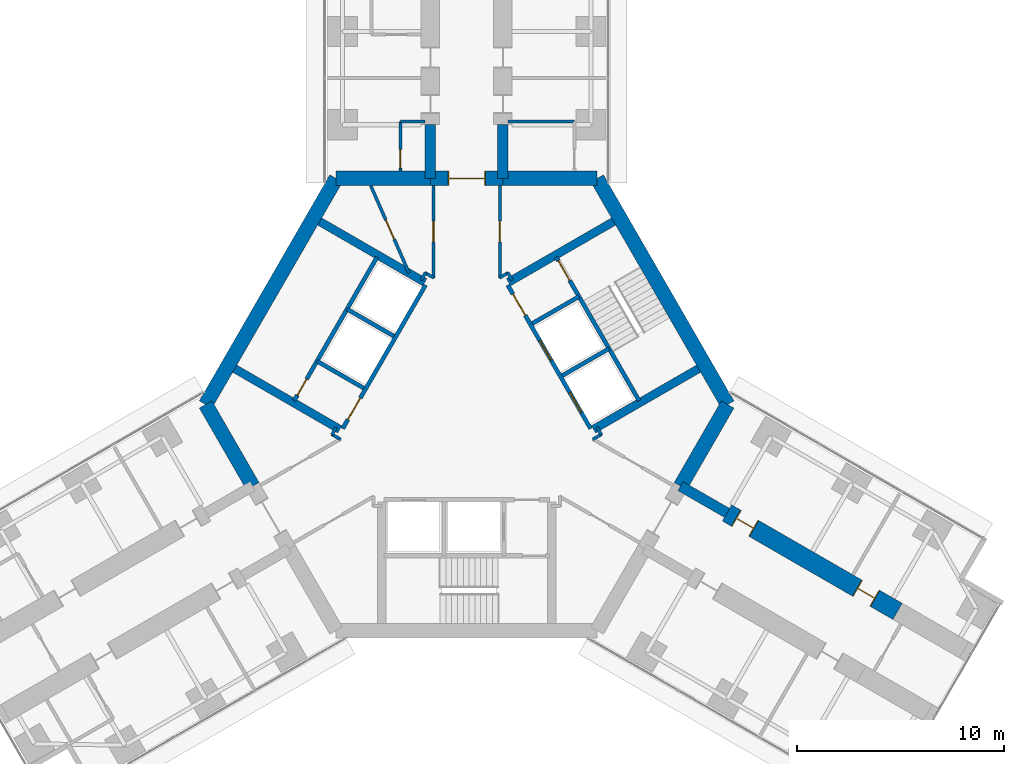
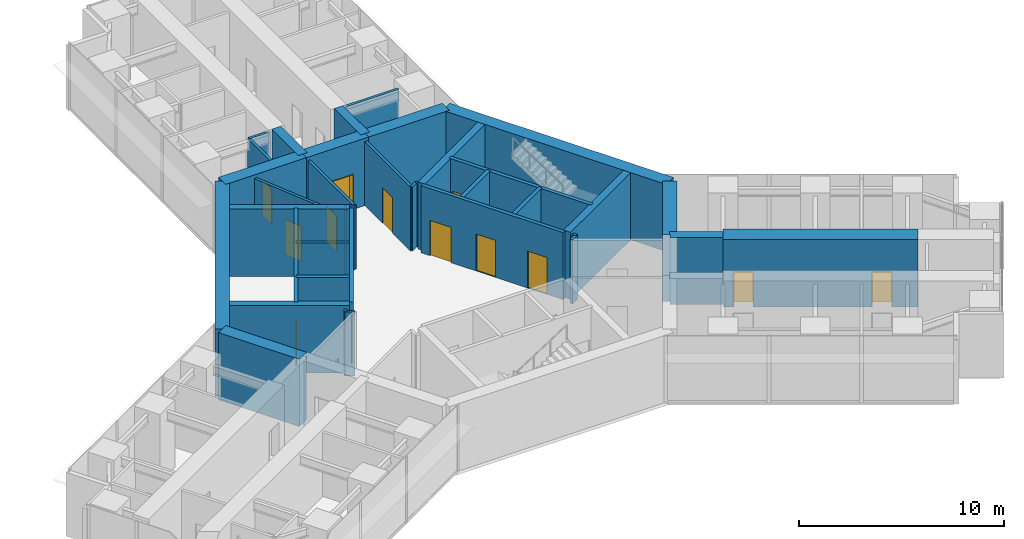
# One storey, part 21 of 24: 37 walls, 13 doors, 13 openings.
"""IFC4 building model written with IfcOpenShell, lengths in metres."""

from ifc_helpers import new_model, si_unit, direction, frame, frame_2d, origin, place, context, subcontext, project, spatial, rectangle, extrude, material, layer, layer_set, type_object, element, fill, save


model = new_model("IFC4")

# Units and contexts
model_context = context("Model", 3, precision=1e-05, world=origin(), true_north=direction((0.0, 1.0)))
body_context = subcontext(model_context, "Body", "Model", "MODEL_VIEW")
ifc_project = project(units=[si_unit("LENGTHUNIT", "METRE"), si_unit("AREAUNIT", "SQUARE_METRE"), si_unit("VOLUMEUNIT", "CUBIC_METRE"), si_unit("PLANEANGLEUNIT", "RADIAN"), si_unit("MASSUNIT", "GRAM", prefix="KILO")], contexts=[model_context])

# Site, building, storey
site_placement = place(None, origin())
site = spatial("IfcSite", under=ifc_project, at=site_placement, CompositionType="ELEMENT")
building_placement = place(site_placement, origin())
building = spatial("IfcBuilding", under=site, at=building_placement, Name="Upepo Twin Towers", CompositionType="ELEMENT")
storey_placement = place(building_placement, frame((0.0, 0.0, 52.5)))
storey = spatial("IfcBuildingStorey", under=building, at=storey_placement, Name="L12", CompositionType="ELEMENT", Elevation=52.5)

# Walls
ifc_material_1 = material(Name="Concrete C60/75", Category="concrete")
ifc_layer_1 = layer(ifc_material_1, 0.5)
ifc_layer_set_1 = layer_set([ifc_layer_1], Name="Concrete C60/75")
wall_type_1 = type_object("IfcWallType", Name="Buttress wall 500 RC", PredefinedType="SHEAR", material=ifc_layer_set_1)
for number, where, z_axis, x_axis, name in (
    (1, (56.75, -7.091552734375, 0.0), (0.0, 0.0, 1.0), (0.0, 1.0, 0.0), "T2 wing A buttress wall L"),
    (2, (60.25, -7.091552734375, 0.0), (0.0, 0.0, 1.0), (0.0, 1.0, 0.0), "T2 wing A buttress wall R"),
):
    element("IfcWall", number, at=place(storey_placement, frame(where, z_axis=z_axis, x_axis=x_axis)), inside=storey, type_object=wall_type_1, Name=name, PredefinedType="SHEAR", context=body_context, shape_type="SweptSolid", body=[
        extrude(rectangle(XDim=2.591552734375, YDim=0.5, at=frame_2d((1.2958984375, 0.0))), origin(), (0.0, 0.0, 1.0), 4.0),
    ])
wall_1_placement = place(storey_placement, frame((68.82177734375, -21.938720703125, 0.0), z_axis=(0.0, 0.0, 1.0), x_axis=(0.866072649678, -0.499918158782, 0.0)))
element("IfcWall", 3, at=wall_1_placement, inside=storey, type_object=wall_type_1, Name="T2 wing C buttress wall L", PredefinedType="SHEAR", context=body_context, shape_type="SweptSolid", body=[
    extrude(rectangle(XDim=2.591796875, YDim=0.5, at=frame_2d((1.2958984375, 0.0))), origin(), (0.0, 0.0, 1.0), 4.0),
])

# Wall, openings, doors
ifc_material_2 = material(Name="Concrete C60/75", Category="concrete")
ifc_layer_2 = layer(ifc_material_2, 0.89990234375)
ifc_layer_set_2 = layer_set([ifc_layer_2], Name="Concrete C60/75")
wall_type_2 = type_object("IfcWallType", Name="Buttress wall 900 RC", PredefinedType="SHEAR", material=ifc_layer_set_2)
wall_2_placement = place(storey_placement, frame((71.06640625, -23.234375, 0.0), z_axis=(0.0, 0.0, 1.0), x_axis=(0.86602681393, -0.499997557548, 0.0)))
wall_2 = element("IfcWall", 4, at=wall_2_placement, inside=storey, type_object=wall_type_2, Name="T2 wing C buttress wall L part 2", PredefinedType="SHEAR", context=body_context, shape_type="SweptSolid", body=[
    extrude(rectangle(XDim=9.5, YDim=0.89990234375, at=frame_2d((4.75, 0.0))), origin(), (0.0, 0.0, 1.0), 4.0),
])
opening_1_placement = place(wall_2_placement, frame((0.5, 0.0, 0.0)))
opening_1 = element("IfcOpeningElement", 5, at=opening_1_placement, cuts=wall_2, Name="Opening D1", PredefinedType="OPENING", context=body_context, shape_type="SweptSolid", body=[
    extrude(rectangle(XDim=1.0, YDim=2.10009765625, at=frame_2d((0.5, 1.050048828125))), frame((0.0, 0.4599609375, 0.0), z_axis=(0.0, -1.0, 0.0), x_axis=(1.0, 0.0, 0.0)), (0.0, 0.0, 1.0), 0.919921875),
])
opening_2_placement = place(wall_2_placement, frame((7.25, 0.0, 0.0)))
opening_2 = element("IfcOpeningElement", 6, at=opening_2_placement, cuts=wall_2, Name="Opening D1", PredefinedType="OPENING", context=body_context, shape_type="SweptSolid", body=[
    extrude(rectangle(XDim=1.0, YDim=2.10009765625, at=frame_2d((0.5, 1.050048828125))), frame((0.0, 0.4599609375, 0.0), z_axis=(0.0, -1.0, 0.0), x_axis=(1.0, 0.0, 0.0)), (0.0, 0.0, 1.0), 0.919921875),
])
ifc_material_3 = material(Name="Timber doorset", Category="wood")
door_type_1 = type_object("IfcDoorType", Name="Room door 1000 FD30", OperationType="SINGLE_SWING_LEFT", PredefinedType="DOOR", material=ifc_material_3)
door_1_placement = place(opening_1_placement, origin())
door_1 = element("IfcDoor", 7, at=door_1_placement, inside=storey, type_object=door_type_1, Name="T2 L12 classroom door", OperationType="SINGLE_SWING_LEFT", OverallHeight=2.10009765625, OverallWidth=1.0, PredefinedType="DOOR", context=body_context, shape_type="SweptSolid", body=[
    extrude(rectangle(XDim=0.92, YDim=2.06009765625, at=frame_2d((0.5, 1.030029296875))), frame((0.0, 0.02490234375, 0.0), z_axis=(0.0, -1.0, 0.0), x_axis=(1.0, 0.0, 0.0)), (0.0, 0.0, 1.0), 0.050048828125),
    extrude(rectangle(XDim=0.04, YDim=2.10009765625, at=frame_2d((0.02001953125, 1.050048828125))), frame((0.0, 0.44970703125, 0.0), z_axis=(0.0, -1.0, 0.0), x_axis=(1.0, 0.0, 0.0)), (0.0, 0.0, 1.0), 0.8994140625),
    extrude(rectangle(XDim=0.04, YDim=2.10009765625, at=frame_2d((0.97998046875, 1.050048828125))), frame((0.0, 0.44970703125, 0.0), z_axis=(0.0, -1.0, 0.0), x_axis=(1.0, 0.0, 0.0)), (0.0, 0.0, 1.0), 0.8994140625),
    extrude(rectangle(XDim=0.92, YDim=0.04, at=frame_2d((0.5, 2.080078125))), frame((0.0, 0.44970703125, 0.0), z_axis=(0.0, -1.0, 0.0), x_axis=(1.0, 0.0, 0.0)), (0.0, 0.0, 1.0), 0.8994140625),
])
fill(opening_1, door_1)
door_2_placement = place(opening_2_placement, origin())
door_2 = element("IfcDoor", 8, at=door_2_placement, inside=storey, type_object=door_type_1, Name="T2 L12 seminar room door", OperationType="SINGLE_SWING_RIGHT", OverallHeight=2.10009765625, OverallWidth=1.0, PredefinedType="DOOR", context=body_context, shape_type="SweptSolid", body=[
    extrude(rectangle(XDim=0.92, YDim=2.06009765625, at=frame_2d((0.5, 1.030029296875))), frame((0.0, 0.02490234375, 0.0), z_axis=(0.0, -1.0, 0.0), x_axis=(1.0, 0.0, 0.0)), (0.0, 0.0, 1.0), 0.050048828125),
    extrude(rectangle(XDim=0.04, YDim=2.10009765625, at=frame_2d((0.02001953125, 1.050048828125))), frame((0.0, 0.44970703125, 0.0), z_axis=(0.0, -1.0, 0.0), x_axis=(1.0, 0.0, 0.0)), (0.0, 0.0, 1.0), 0.8994140625),
    extrude(rectangle(XDim=0.04, YDim=2.10009765625, at=frame_2d((0.97998046875, 1.050048828125))), frame((0.0, 0.44970703125, 0.0), z_axis=(0.0, -1.0, 0.0), x_axis=(1.0, 0.0, 0.0)), (0.0, 0.0, 1.0), 0.8994140625),
    extrude(rectangle(XDim=0.92, YDim=0.04, at=frame_2d((0.5, 2.080078125))), frame((0.0, 0.44970703125, 0.0), z_axis=(0.0, -1.0, 0.0), x_axis=(1.0, 0.0, 0.0)), (0.0, 0.0, 1.0), 0.8994140625),
])
fill(opening_2, door_2)

# Wall
ifc_material_4 = material(Name="Concrete C60/75", Category="concrete")
ifc_layer_3 = layer(ifc_material_4, 0.699951171875)
ifc_layer_set_3 = layer_set([ifc_layer_3], Name="Concrete C60/75")
wall_type_3 = type_object("IfcWallType", Name="Core wall 700 RC", PredefinedType="SHEAR", material=ifc_layer_set_3)
wall_3_placement = place(storey_placement, frame((64.7978515625, -7.091552734375, 0.0), z_axis=(0.0, 0.0, 1.0), x_axis=(-1.0, 0.0, 0.0)))
element("IfcWall", 9, at=wall_3_placement, inside=storey, type_object=wall_type_3, Name="T2 core wall 000 R", PredefinedType="SHEAR", context=body_context, shape_type="SweptSolid", body=[
    extrude(rectangle(XDim=4.5478515625, YDim=0.699951171875, at=frame_2d((2.27392578125, 0.0))), origin(), (0.0, 0.0, 1.0), 4.0),
])

# Wall, opening, door
wall_4_placement = place(storey_placement, frame((60.25, -7.091552734375, 0.0), z_axis=(0.0, 0.0, 1.0), x_axis=(-1.0, 0.0, 0.0)))
wall_4 = element("IfcWall", 10, at=wall_4_placement, inside=storey, type_object=wall_type_3, Name="T2 core wall 000", PredefinedType="SHEAR", context=body_context, shape_type="SweptSolid", body=[
    extrude(rectangle(XDim=3.5, YDim=0.699951171875, at=frame_2d((1.75, 0.0))), origin(), (0.0, 0.0, 1.0), 4.0),
])
opening_3_placement = place(wall_4_placement, frame((0.85009765625, 0.0, 0.0)))
opening_3 = element("IfcOpeningElement", 11, at=opening_3_placement, cuts=wall_4, Name="Opening D2", PredefinedType="OPENING", context=body_context, shape_type="SweptSolid", body=[
    extrude(rectangle(XDim=1.800048828125, YDim=2.10009765625, at=frame_2d((0.89990234375, 1.050048828125))), frame((0.0, 0.35986328125, 0.0), z_axis=(0.0, -1.0, 0.0), x_axis=(1.0, 0.0, 0.0)), (0.0, 0.0, 1.0), 0.719970703125),
])
ifc_material_5 = material(Name="Timber doorset", Category="wood")
door_type_2 = type_object("IfcDoorType", Name="Corridor double door 1800 FD60", OperationType="DOUBLE_DOOR_DOUBLE_SWING", PredefinedType="DOOR", material=ifc_material_5)
door_3_placement = place(opening_3_placement, origin())
door_3 = element("IfcDoor", 12, at=door_3_placement, inside=storey, type_object=door_type_2, Name="T2 L12 wing A corridor door", OperationType="DOUBLE_DOOR_DOUBLE_SWING", OverallHeight=2.10009765625, OverallWidth=1.800048828125, PredefinedType="DOOR", context=body_context, shape_type="SweptSolid", body=[
    extrude(rectangle(XDim=1.720048828125, YDim=2.06009765625, at=frame_2d((0.89990234375, 1.030029296875))), frame((0.0, 0.02490234375, 0.0), z_axis=(0.0, -1.0, 0.0), x_axis=(1.0, 0.0, 0.0)), (0.0, 0.0, 1.0), 0.050048828125),
    extrude(rectangle(XDim=0.04, YDim=2.10009765625, at=frame_2d((0.02001953125, 1.050048828125))), frame((0.0, 0.349609375, 0.0), z_axis=(0.0, -1.0, 0.0), x_axis=(1.0, 0.0, 0.0)), (0.0, 0.0, 1.0), 0.699462890625),
    extrude(rectangle(XDim=0.04, YDim=2.10009765625, at=frame_2d((1.780029296875, 1.050048828125))), frame((0.0, 0.349609375, 0.0), z_axis=(0.0, -1.0, 0.0), x_axis=(1.0, 0.0, 0.0)), (0.0, 0.0, 1.0), 0.699462890625),
    extrude(rectangle(XDim=1.720048828125, YDim=0.04, at=frame_2d((0.89990234375, 2.080078125))), frame((0.0, 0.349609375, 0.0), z_axis=(0.0, -1.0, 0.0), x_axis=(1.0, 0.0, 0.0)), (0.0, 0.0, 1.0), 0.699462890625),
])
fill(opening_3, door_3)

# Walls
wall_5_placement = place(storey_placement, frame((56.75, -7.091552734375, 0.0), z_axis=(0.0, 0.0, 1.0), x_axis=(-1.0, 0.0, 0.0)))
element("IfcWall", 13, at=wall_5_placement, inside=storey, type_object=wall_type_3, Name="T2 core wall 000 L", PredefinedType="SHEAR", context=body_context, shape_type="SweptSolid", body=[
    extrude(rectangle(XDim=4.5478515625, YDim=0.699951171875, at=frame_2d((2.27392578125, 0.0))), origin(), (0.0, 0.0, 1.0), 4.0),
])
wall_6_placement = place(storey_placement, frame((52.2021484375, -7.091552734375, 0.0), z_axis=(0.0, 0.0, 1.0), x_axis=(-0.500005998175, -0.866021940709, 0.0)))
element("IfcWall", 14, at=wall_6_placement, inside=storey, type_object=wall_type_3, Name="T2 core wall 060", PredefinedType="SHEAR", context=body_context, shape_type="SweptSolid", body=[
    extrude(rectangle(XDim=12.595947265625, YDim=0.699951171875, at=frame_2d((6.2978515625, 0.0))), origin(), (0.0, 0.0, 1.0), 4.0),
])
for number, where, z_axis, x_axis, name in (
    (15, (45.904052734375, -18.0, 0.0), (0.0, 0.0, 1.0), (0.500024481964, -0.866011268655, 0.0), "T2 core wall 120 R"),
    (16, (68.82177734375, -21.938720703125, 0.0), (0.0, 0.0, 1.0), (0.500024481964, 0.866011268655, 0.0), "T2 core wall 240 L"),
):
    element("IfcWall", number, at=place(storey_placement, frame(where, z_axis=z_axis, x_axis=x_axis)), inside=storey, type_object=wall_type_3, Name=name, PredefinedType="SHEAR", context=body_context, shape_type="SweptSolid", body=[
        extrude(rectangle(XDim=4.548095703125, YDim=0.699951171875, at=frame_2d((2.27392578125, 0.0))), origin(), (0.0, 0.0, 1.0), 4.0),
    ])
wall_7_placement = place(storey_placement, frame((71.095947265625, -18.0, 0.0), z_axis=(0.0, 0.0, 1.0), x_axis=(-0.500005998175, 0.866021940709, 0.0)))
element("IfcWall", 17, at=wall_7_placement, inside=storey, type_object=wall_type_3, Name="T2 core wall 300", PredefinedType="SHEAR", context=body_context, shape_type="SweptSolid", body=[
    extrude(rectangle(XDim=12.595947265625, YDim=0.699951171875, at=frame_2d((6.2978515625, 0.0))), origin(), (0.0, 0.0, 1.0), 4.0),
])

# Wall, opening, door
ifc_material_6 = material(Name="Concrete C40/50", Category="concrete")
ifc_layer_4 = layer(ifc_material_6, 0.199951171875)
ifc_layer_set_4 = layer_set([ifc_layer_4], Name="Concrete C40/50")
wall_type_4 = type_object("IfcWallType", Name="Shaft wall 200 RC", PredefinedType="SHEAR", material=ifc_layer_set_4)
wall_8_placement = place(storey_placement, frame((56.516357421875, -12.23583984375, 0.0), z_axis=(0.0, 0.0, 1.0), x_axis=(-0.49999894854, -0.866026010844, 0.0)))
wall_8 = element("IfcWall", 18, at=wall_8_placement, inside=storey, type_object=wall_type_4, Name="T2 core W60 front wall", PredefinedType="SHEAR", context=body_context, shape_type="SweptSolid", body=[
    extrude(rectangle(XDim=8.0, YDim=0.199951171875, at=frame_2d((4.0, 0.0))), origin(), (0.0, 0.0, 1.0), 4.0),
])
opening_4_placement = place(wall_8_placement, frame((6.300048828125, 0.0, 0.0)))
opening_4 = element("IfcOpeningElement", 19, at=opening_4_placement, cuts=wall_8, Name="Opening D4", PredefinedType="OPENING", context=body_context, shape_type="SweptSolid", body=[
    extrude(rectangle(XDim=1.199951171875, YDim=2.10009765625, at=frame_2d((0.60009765625, 1.050048828125))), frame((0.0, 0.10986328125, 0.0), z_axis=(0.0, -1.0, 0.0), x_axis=(1.0, 0.0, 0.0)), (0.0, 0.0, 1.0), 0.219970703125),
])
ifc_material_7 = material(Name="Timber doorset", Category="wood")
door_type_3 = type_object("IfcDoorType", Name="Lobby door 1200 FD60", OperationType="SINGLE_SWING_LEFT", PredefinedType="DOOR", material=ifc_material_7)
door_4_placement = place(opening_4_placement, origin())
door_4 = element("IfcDoor", 20, at=door_4_placement, inside=storey, type_object=door_type_3, Name="T2 L12 W60 lobby door", OperationType="SINGLE_SWING_RIGHT", OverallHeight=2.10009765625, OverallWidth=1.199951171875, PredefinedType="DOOR", context=body_context, shape_type="SweptSolid", body=[
    extrude(rectangle(XDim=1.199951171875, YDim=2.10009765625, at=frame_2d((0.60009765625, 1.050048828125))), frame((0.0, 0.02490234375, 0.0), z_axis=(0.0, -1.0, 0.0), x_axis=(1.0, 0.0, 0.0)), (0.0, 0.0, 1.0), 0.050048828125),
])
fill(opening_4, door_4)

# Walls
for number, where, z_axis, x_axis, name in (
    (21, (54.979736328125, -14.697265625, 0.0), (0.0, 0.0, 1.0), (-0.866062058628, 0.499936506574, 0.0), "T2 core W60 shaft divider"),
    (22, (53.52978515625, -17.208740234375, 0.0), (0.0, 0.0, 1.0), (-0.866062058628, 0.499936506574, 0.0), "T2 core W60 lobby wall"),
):
    element("IfcWall", number, at=place(storey_placement, frame(where, z_axis=z_axis, x_axis=x_axis)), inside=storey, type_object=wall_type_4, Name=name, PredefinedType="SHEAR", context=body_context, shape_type="SweptSolid", body=[
        extrude(rectangle(XDim=2.599853515625, YDim=0.199951171875, at=frame_2d((1.2998046875, 0.0))), origin(), (0.0, 0.0, 1.0), 4.0),
    ])

# Wall, opening, door
wall_9_placement = place(storey_placement, frame((54.177978515625, -10.885986328125, 0.0), z_axis=(0.0, 0.0, 1.0), x_axis=(-0.49999894854, -0.866026010844, 0.0)))
wall_9 = element("IfcWall", 23, at=wall_9_placement, inside=storey, type_object=wall_type_4, Name="T2 core W60 stair wall", PredefinedType="SHEAR", context=body_context, shape_type="SweptSolid", body=[
    extrude(rectangle(XDim=8.0, YDim=0.199951171875, at=frame_2d((4.0, 0.0))), origin(), (0.0, 0.0, 1.0), 4.0),
])
opening_5_placement = place(wall_9_placement, frame((6.800048828125, 0.0, 0.0)))
opening_5 = element("IfcOpeningElement", 24, at=opening_5_placement, cuts=wall_9, Name="Opening D9", PredefinedType="OPENING", context=body_context, shape_type="SweptSolid", body=[
    extrude(rectangle(XDim=0.89990234375, YDim=2.10009765625, at=frame_2d((0.449951171875, 1.050048828125))), frame((0.0, 0.10986328125, 0.0), z_axis=(0.0, -1.0, 0.0), x_axis=(1.0, 0.0, 0.0)), (0.0, 0.0, 1.0), 0.219970703125),
])
ifc_material_8 = material(Name="Timber doorset", Category="wood")
door_type_4 = type_object("IfcDoorType", Name="Riser door 900 FD60", OperationType="SINGLE_SWING_LEFT", PredefinedType="DOOR", material=ifc_material_8)
door_5_placement = place(opening_5_placement, origin())
door_5 = element("IfcDoor", 25, at=door_5_placement, inside=storey, type_object=door_type_4, Name="T2 L12 riser door", OperationType="SINGLE_SWING_RIGHT", OverallHeight=2.10009765625, OverallWidth=0.89990234375, PredefinedType="DOOR", context=body_context, shape_type="SweptSolid", body=[
    extrude(rectangle(XDim=0.89990234375, YDim=2.10009765625, at=frame_2d((0.449951171875, 1.050048828125))), frame((0.0, 0.02490234375, 0.0), z_axis=(0.0, -1.0, 0.0), x_axis=(1.0, 0.0, 0.0)), (0.0, 0.0, 1.0), 0.050048828125),
])
fill(opening_5, door_5)

# Wall, openings, doors
wall_10_placement = place(storey_placement, frame((64.483642578125, -19.1640625, 0.0), z_axis=(0.0, 0.0, 1.0), x_axis=(-0.49999894854, 0.866026010844, 0.0)))
wall_10 = element("IfcWall", 26, at=wall_10_placement, inside=storey, type_object=wall_type_4, Name="T2 core W300 front wall", PredefinedType="SHEAR", context=body_context, shape_type="SweptSolid", body=[
    extrude(rectangle(XDim=8.0, YDim=0.199951171875, at=frame_2d((4.0, 0.0))), origin(), (0.0, 0.0, 1.0), 4.0),
])
opening_6_placement = place(wall_10_placement, frame((6.300048828125, 0.0, 0.0)))
opening_6 = element("IfcOpeningElement", 27, at=opening_6_placement, cuts=wall_10, Name="Opening D4", PredefinedType="OPENING", context=body_context, shape_type="SweptSolid", body=[
    extrude(rectangle(XDim=1.199951171875, YDim=2.10009765625, at=frame_2d((0.60009765625, 1.050048828125))), frame((0.0, 0.10986328125, 0.0), z_axis=(0.0, -1.0, 0.0), x_axis=(1.0, 0.0, 0.0)), (0.0, 0.0, 1.0), 0.219970703125),
])
opening_7_placement = place(wall_10_placement, frame((0.89990234375, 0.0, 0.0)))
opening_7 = element("IfcOpeningElement", 28, at=opening_7_placement, cuts=wall_10, Name="Opening LD1", PredefinedType="OPENING", context=body_context, shape_type="SweptSolid", body=[
    extrude(rectangle(XDim=1.10009765625, YDim=2.199951171875, at=frame_2d((0.550048828125, 1.10009765625))), frame((0.0, 0.10986328125, 0.0), z_axis=(0.0, -1.0, 0.0), x_axis=(1.0, 0.0, 0.0)), (0.0, 0.0, 1.0), 0.219970703125),
])
opening_8_placement = place(wall_10_placement, frame((3.800048828125, 0.0, 0.0)))
opening_8 = element("IfcOpeningElement", 29, at=opening_8_placement, cuts=wall_10, Name="Opening LD1", PredefinedType="OPENING", context=body_context, shape_type="SweptSolid", body=[
    extrude(rectangle(XDim=1.10009765625, YDim=2.199951171875, at=frame_2d((0.550048828125, 1.10009765625))), frame((0.0, 0.10986328125, 0.0), z_axis=(0.0, -1.0, 0.0), x_axis=(1.0, 0.0, 0.0)), (0.0, 0.0, 1.0), 0.219970703125),
])
ifc_material_9 = material(Name="Steel doorset", Category="steel")
door_type_5 = type_object("IfcDoorType", Name="Lift landing door 1100", OperationType="DOUBLE_DOOR_SLIDING", PredefinedType="DOOR", material=ifc_material_9)
door_6_placement = place(opening_7_placement, origin())
door_6 = element("IfcDoor", 30, at=door_6_placement, inside=storey, type_object=door_type_5, Name="T2 L12 lift LL1 landing door", OperationType="DOUBLE_DOOR_SLIDING", OverallHeight=2.199951171875, OverallWidth=1.10009765625, PredefinedType="DOOR", context=body_context, shape_type="SweptSolid", body=[
    extrude(rectangle(XDim=1.10009765625, YDim=2.199951171875, at=frame_2d((0.550048828125, 1.10009765625))), frame((0.0, 0.02490234375, 0.0), z_axis=(0.0, -1.0, 0.0), x_axis=(1.0, 0.0, 0.0)), (0.0, 0.0, 1.0), 0.050048828125),
])
fill(opening_7, door_6)
door_7_placement = place(opening_8_placement, origin())
door_7 = element("IfcDoor", 31, at=door_7_placement, inside=storey, type_object=door_type_5, Name="T2 L12 lift LL2 landing door", OperationType="DOUBLE_DOOR_SLIDING", OverallHeight=2.199951171875, OverallWidth=1.10009765625, PredefinedType="DOOR", context=body_context, shape_type="SweptSolid", body=[
    extrude(rectangle(XDim=1.10009765625, YDim=2.199951171875, at=frame_2d((0.550048828125, 1.10009765625))), frame((0.0, 0.02490234375, 0.0), z_axis=(0.0, -1.0, 0.0), x_axis=(1.0, 0.0, 0.0)), (0.0, 0.0, 1.0), 0.050048828125),
])
fill(opening_8, door_7)
door_8_placement = place(opening_6_placement, origin())
door_8 = element("IfcDoor", 32, at=door_8_placement, inside=storey, type_object=door_type_3, Name="T2 L12 W300 lobby door", OperationType="SINGLE_SWING_RIGHT", OverallHeight=2.10009765625, OverallWidth=1.199951171875, PredefinedType="DOOR", context=body_context, shape_type="SweptSolid", body=[
    extrude(rectangle(XDim=1.199951171875, YDim=2.10009765625, at=frame_2d((0.60009765625, 1.050048828125))), frame((0.0, 0.02490234375, 0.0), z_axis=(0.0, -1.0, 0.0), x_axis=(1.0, 0.0, 0.0)), (0.0, 0.0, 1.0), 0.050048828125),
])
fill(opening_6, door_8)

# Walls
wall_11_placement = place(storey_placement, frame((63.120361328125, -16.6025390625, 0.0), z_axis=(0.0, 0.0, 1.0), x_axis=(0.866062058628, 0.499936506574, 0.0)))
element("IfcWall", 33, at=wall_11_placement, inside=storey, type_object=wall_type_4, Name="T2 core W300 shaft divider", PredefinedType="SHEAR", context=body_context, shape_type="SweptSolid", body=[
    extrude(rectangle(XDim=2.599853515625, YDim=0.199951171875, at=frame_2d((1.2998046875, 0.0))), origin(), (0.0, 0.0, 1.0), 4.0),
])
wall_12_placement = place(storey_placement, frame((61.67041015625, -14.091064453125, 0.0), z_axis=(0.0, 0.0, 1.0), x_axis=(0.86603858612, 0.49997716683, 0.0)))
element("IfcWall", 34, at=wall_12_placement, inside=storey, type_object=wall_type_4, Name="T2 core W300 lobby wall", PredefinedType="SHEAR", context=body_context, shape_type="SweptSolid", body=[
    extrude(rectangle(XDim=2.599609375, YDim=0.199951171875, at=frame_2d((1.2998046875, 0.0))), origin(), (0.0, 0.0, 1.0), 4.0),
])

# Wall, opening, door
wall_13_placement = place(storey_placement, frame((66.822021484375, -17.814208984375, 0.0), z_axis=(0.0, 0.0, 1.0), x_axis=(-0.49999894854, 0.866026010844, 0.0)))
wall_13 = element("IfcWall", 35, at=wall_13_placement, inside=storey, type_object=wall_type_4, Name="T2 core W300 stair wall", PredefinedType="SHEAR", context=body_context, shape_type="SweptSolid", body=[
    extrude(rectangle(XDim=8.0, YDim=0.199951171875, at=frame_2d((4.0, 0.0))), origin(), (0.0, 0.0, 1.0), 4.0),
])
opening_9_placement = place(wall_13_placement, frame((6.699951171875, 0.0, 0.0)))
opening_9 = element("IfcOpeningElement", 36, at=opening_9_placement, cuts=wall_13, Name="Opening D3", PredefinedType="OPENING", context=body_context, shape_type="SweptSolid", body=[
    extrude(rectangle(XDim=1.10009765625, YDim=2.10009765625, at=frame_2d((0.550048828125, 1.050048828125))), frame((0.0, 0.10986328125, 0.0), z_axis=(0.0, -1.0, 0.0), x_axis=(1.0, 0.0, 0.0)), (0.0, 0.0, 1.0), 0.219970703125),
])
ifc_material_10 = material(Name="Timber doorset", Category="wood")
door_type_6 = type_object("IfcDoorType", Name="Stair door 1100 FD60", OperationType="SINGLE_SWING_LEFT", PredefinedType="DOOR", material=ifc_material_10)
door_9_placement = place(opening_9_placement, origin())
door_9 = element("IfcDoor", 37, at=door_9_placement, inside=storey, type_object=door_type_6, Name="T2 L12 stair door", OperationType="SINGLE_SWING_RIGHT", OverallHeight=2.10009765625, OverallWidth=1.10009765625, PredefinedType="DOOR", context=body_context, shape_type="SweptSolid", body=[
    extrude(rectangle(XDim=1.10009765625, YDim=2.10009765625, at=frame_2d((0.550048828125, 1.050048828125))), frame((0.0, 0.02490234375, 0.0), z_axis=(0.0, -1.0, 0.0), x_axis=(1.0, 0.0, 0.0)), (0.0, 0.0, 1.0), 0.050048828125),
])
fill(opening_9, door_9)

# Walls
ifc_material_11 = material(Name="Concrete C40/50", Category="concrete")
ifc_layer_5 = layer(ifc_material_11, 0.39990234375)
ifc_layer_set_5 = layer_set([ifc_layer_5], Name="Concrete C40/50")
wall_type_5 = type_object("IfcWallType", Name="Shaft wall 400 RC", PredefinedType="SHEAR", material=ifc_layer_set_5)
for number, where, z_axis, x_axis, name in (
    (38, (52.379638671875, -19.20068359375, 0.0), (0.0, 0.0, 1.0), (-0.866023886965, 0.500002627198, 0.0), "T2 core W60 side wall N"),
    (39, (56.479736328125, -12.099365234375, 0.0), (0.0, 0.0, 1.0), (-0.866023886965, 0.500002627198, 0.0), "T2 core W60 side wall S"),
    (40, (60.520263671875, -12.099365234375, 0.0), (0.0, 0.0, 1.0), (0.866023886965, 0.500002627198, 0.0), "T2 core W300 side wall N"),
    (41, (64.620361328125, -19.20068359375, 0.0), (0.0, 0.0, 1.0), (0.866023886965, 0.500002627198, 0.0), "T2 core W300 side wall S"),
):
    element("IfcWall", number, at=place(storey_placement, frame(where, z_axis=z_axis, x_axis=x_axis)), inside=storey, type_object=wall_type_5, Name=name, PredefinedType="SHEAR", context=body_context, shape_type="SweptSolid", body=[
        extrude(rectangle(XDim=5.8583984375, YDim=0.39990234375, at=frame_2d((2.92919921875, 0.0))), origin(), (0.0, 0.0, 1.0), 4.0),
    ])

# Wall, opening, door
ifc_material_12 = material(Name="Gypsum board on steel studs", Category="steel")
ifc_layer_6 = layer(ifc_material_12, 0.14990234375)
ifc_layer_set_6 = layer_set([ifc_layer_6], Name="Teaching partition 150 acoustic")
wall_type_6 = type_object("IfcWallType", Name="Teaching partition 150 acoustic", PredefinedType="PARTITIONING", material=ifc_layer_set_6)
wall_14_placement = place(storey_placement, frame((55.300048828125, -6.741943359375, 0.0), z_axis=(0.0, 0.0, 1.0), x_axis=(0.0, 1.0, 0.0)))
wall_14 = element("IfcWall", 42, at=wall_14_placement, inside=storey, type_object=wall_type_6, Name="T2 WC bay partition AL at 11.26", PredefinedType="PARTITIONING", context=body_context, shape_type="SweptSolid", body=[
    extrude(rectangle(XDim=2.39990234375, YDim=0.14990234375, at=frame_2d((1.199951171875, 0.0))), origin(), (0.0, 0.0, 1.0), 3.800048828125),
])
opening_10_placement = place(wall_14_placement, frame((0.14990234375, 0.0, 0.0)))
opening_10 = element("IfcOpeningElement", 43, at=opening_10_placement, cuts=wall_14, Name="Opening D14", PredefinedType="OPENING", context=body_context, shape_type="SweptSolid", body=[
    extrude(rectangle(XDim=0.89990234375, YDim=2.10009765625, at=frame_2d((0.449951171875, 1.050048828125))), frame((0.0, 0.0849609375, 0.0), z_axis=(0.0, -1.0, 0.0), x_axis=(1.0, 0.0, 0.0)), (0.0, 0.0, 1.0), 0.169921875),
])
ifc_material_13 = material(Name="Timber doorset", Category="wood")
door_type_7 = type_object("IfcDoorType", Name="Office door 900 FD30", OperationType="SINGLE_SWING_LEFT", PredefinedType="DOOR", material=ifc_material_13)
door_10_placement = place(opening_10_placement, origin())
door_10 = element("IfcDoor", 44, at=door_10_placement, inside=storey, type_object=door_type_7, Name="T2 L12 WC bay inner room door", OperationType="SINGLE_SWING_LEFT", OverallHeight=2.10009765625, OverallWidth=0.89990234375, PredefinedType="DOOR", context=body_context, shape_type="SweptSolid", body=[
    extrude(rectangle(XDim=0.89990234375, YDim=2.10009765625, at=frame_2d((0.449951171875, 1.050048828125))), frame((0.0, 0.02490234375, 0.0), z_axis=(0.0, -1.0, 0.0), x_axis=(1.0, 0.0, 0.0)), (0.0, 0.0, 1.0), 0.050048828125),
])
fill(opening_10, door_10)

# Walls
wall_15_placement = place(storey_placement, frame((56.5, -4.342041015625, 0.0), z_axis=(0.0, 0.0, 1.0), x_axis=(-1.0, 0.0, 0.0)))
element("IfcWall", 45, at=wall_15_placement, inside=storey, type_object=wall_type_6, Name="T2 WC bay partition AL end at 13.66", PredefinedType="PARTITIONING", context=body_context, shape_type="SweptSolid", body=[
    extrude(rectangle(XDim=1.199951171875, YDim=0.14990234375, at=frame_2d((0.60009765625, 0.0))), origin(), (0.0, 0.0, 1.0), 3.800048828125),
])
wall_16_placement = place(storey_placement, frame((60.5, -4.342041015625, 0.0), z_axis=(0.0, 0.0, 1.0), x_axis=(1.0, 0.0, 0.0)))
element("IfcWall", 46, at=wall_16_placement, inside=storey, type_object=wall_type_6, Name="T2 WC bay partition AR end at 13.66", PredefinedType="PARTITIONING", context=body_context, shape_type="SweptSolid", body=[
    extrude(rectangle(XDim=3.199951171875, YDim=0.14990234375, at=frame_2d((1.60009765625, 0.0))), origin(), (0.0, 0.0, 1.0), 3.800048828125),
])
wall_17_placement = place(storey_placement, frame((52.417236328125, -19.684326171875, 0.0), z_axis=(0.0, 0.0, 1.0), x_axis=(-0.865831790172, 0.50033519877, 0.0)))
element("IfcWall", 47, at=wall_17_placement, inside=storey, type_object=wall_type_6, Name="T2 core room partition 4", PredefinedType="PARTITIONING", context=body_context, shape_type="SweptSolid", body=[
    extrude(rectangle(XDim=0.494384765625, YDim=0.14990234375, at=frame_2d((0.2470703125, 0.0))), origin(), (0.0, 0.0, 1.0), 3.800048828125),
])
for number, where, z_axis, x_axis, name in (
    (48, (51.99658203125, -19.46435546875, 0.0), (0.0, 0.0, 1.0), (0.499804398801, 0.866138304741, 0.0), "T2 core room partition 5"),
    (49, (56.301513671875, -12.0078125, 0.0), (0.0, 0.0, 1.0), (0.500230298122, 0.865892400268, 0.0), "T2 core room partition 6"),
):
    element("IfcWall", number, at=place(storey_placement, frame(where, z_axis=z_axis, x_axis=x_axis)), inside=storey, type_object=wall_type_6, Name=name, PredefinedType="PARTITIONING", context=body_context, shape_type="SweptSolid", body=[
        extrude(rectangle(XDim=0.429931640625, YDim=0.14990234375, at=frame_2d((0.21484375, 0.0))), origin(), (0.0, 0.0, 1.0), 3.800048828125),
    ])
wall_18_placement = place(storey_placement, frame((56.4892578125, -11.642822265625, 0.0), z_axis=(0.0, 0.0, 1.0), x_axis=(0.865831790172, -0.50033519877, 0.0)))
element("IfcWall", 50, at=wall_18_placement, inside=storey, type_object=wall_type_6, Name="T2 core room partition 7", PredefinedType="PARTITIONING", context=body_context, shape_type="SweptSolid", body=[
    extrude(rectangle(XDim=0.494384765625, YDim=0.14990234375, at=frame_2d((0.2470703125, 0.0))), origin(), (0.0, 0.0, 1.0), 3.800048828125),
])

# Wall, opening, door
wall_19_placement = place(storey_placement, frame((56.89990234375, -11.900146484375, 0.0), z_axis=(0.0, 0.0, 1.0), x_axis=(0.0, 1.0, 0.0)))
wall_19 = element("IfcWall", 51, at=wall_19_placement, inside=storey, type_object=wall_type_6, Name="T2 core room partition 8", PredefinedType="PARTITIONING", context=body_context, shape_type="SweptSolid", body=[
    extrude(rectangle(XDim=4.468505859375, YDim=0.14990234375, at=frame_2d((2.234375, 0.0))), origin(), (0.0, 0.0, 1.0), 3.800048828125),
])
opening_11_placement = place(wall_19_placement, frame((1.744384765625, 0.0, 0.0)))
opening_11 = element("IfcOpeningElement", 52, at=opening_11_placement, cuts=wall_19, Name="Opening D1", PredefinedType="OPENING", context=body_context, shape_type="SweptSolid", body=[
    extrude(rectangle(XDim=1.0, YDim=2.10009765625, at=frame_2d((0.5, 1.050048828125))), frame((0.0, 0.0849609375, 0.0), z_axis=(0.0, -1.0, 0.0), x_axis=(1.0, 0.0, 0.0)), (0.0, 0.0, 1.0), 0.169921875),
])
door_11_placement = place(opening_11_placement, origin())
door_11 = element("IfcDoor", 53, at=door_11_placement, inside=storey, type_object=door_type_1, Name="T2 L12 core room door K7", OperationType="SINGLE_SWING_RIGHT", OverallHeight=2.10009765625, OverallWidth=1.0, PredefinedType="DOOR", context=body_context, shape_type="SweptSolid", body=[
    extrude(rectangle(XDim=1.0, YDim=2.10009765625, at=frame_2d((0.5, 1.050048828125))), frame((0.0, 0.02490234375, 0.0), z_axis=(0.0, -1.0, 0.0), x_axis=(1.0, 0.0, 0.0)), (0.0, 0.0, 1.0), 0.050048828125),
])
fill(opening_11, door_11)

wall_20_placement = place(storey_placement, frame((60.10009765625, -7.431640625, 0.0), z_axis=(0.0, 0.0, 1.0), x_axis=(0.0, -1.0, 0.0)))
wall_20 = element("IfcWall", 54, at=wall_20_placement, inside=storey, type_object=wall_type_6, Name="T2 core room partition 9", PredefinedType="PARTITIONING", context=body_context, shape_type="SweptSolid", body=[
    extrude(rectangle(XDim=4.468505859375, YDim=0.14990234375, at=frame_2d((2.234375, 0.0))), origin(), (0.0, 0.0, 1.0), 3.800048828125),
])
opening_12_placement = place(wall_20_placement, frame((1.72412109375, 0.0, 0.0)))
opening_12 = element("IfcOpeningElement", 55, at=opening_12_placement, cuts=wall_20, Name="Opening D1", PredefinedType="OPENING", context=body_context, shape_type="SweptSolid", body=[
    extrude(rectangle(XDim=1.0, YDim=2.10009765625, at=frame_2d((0.5, 1.050048828125))), frame((0.0, 0.0849609375, 0.0), z_axis=(0.0, -1.0, 0.0), x_axis=(1.0, 0.0, 0.0)), (0.0, 0.0, 1.0), 0.169921875),
])
door_12_placement = place(opening_12_placement, origin())
door_12 = element("IfcDoor", 56, at=door_12_placement, inside=storey, type_object=door_type_1, Name="T2 L12 core room door K5", OperationType="SINGLE_SWING_LEFT", OverallHeight=2.10009765625, OverallWidth=1.0, PredefinedType="DOOR", context=body_context, shape_type="SweptSolid", body=[
    extrude(rectangle(XDim=1.0, YDim=2.10009765625, at=frame_2d((0.5, 1.050048828125))), frame((0.0, 0.02490234375, 0.0), z_axis=(0.0, -1.0, 0.0), x_axis=(1.0, 0.0, 0.0)), (0.0, 0.0, 1.0), 0.050048828125),
])
fill(opening_12, door_12)

# Walls
wall_21_placement = place(storey_placement, frame((60.082763671875, -11.89013671875, 0.0), z_axis=(0.0, 0.0, 1.0), x_axis=(0.865831790172, 0.50033519877, 0.0)))
element("IfcWall", 57, at=wall_21_placement, inside=storey, type_object=wall_type_6, Name="T2 core room partition 10", PredefinedType="PARTITIONING", context=body_context, shape_type="SweptSolid", body=[
    extrude(rectangle(XDim=0.494384765625, YDim=0.14990234375, at=frame_2d((0.2470703125, 0.0))), origin(), (0.0, 0.0, 1.0), 3.800048828125),
])
for number, where, z_axis, x_axis, name in (
    (58, (60.4833984375, -11.635498046875, 0.0), (0.0, 0.0, 1.0), (0.500230298122, -0.865892400268, 0.0), "T2 core room partition 11"),
    (59, (64.78857421875, -19.092041015625, 0.0), (0.0, 0.0, 1.0), (0.499804398801, -0.866138304741, 0.0), "T2 core room partition 12"),
):
    element("IfcWall", number, at=place(storey_placement, frame(where, z_axis=z_axis, x_axis=x_axis)), inside=storey, type_object=wall_type_6, Name=name, PredefinedType="PARTITIONING", context=body_context, shape_type="SweptSolid", body=[
        extrude(rectangle(XDim=0.429931640625, YDim=0.14990234375, at=frame_2d((0.21484375, 0.0))), origin(), (0.0, 0.0, 1.0), 3.800048828125),
    ])
wall_22_placement = place(storey_placement, frame((65.0107421875, -19.43701171875, 0.0), z_axis=(0.0, 0.0, 1.0), x_axis=(-0.865831790172, -0.50033519877, 0.0)))
element("IfcWall", 60, at=wall_22_placement, inside=storey, type_object=wall_type_6, Name="T2 core room partition 13", PredefinedType="PARTITIONING", context=body_context, shape_type="SweptSolid", body=[
    extrude(rectangle(XDim=0.494384765625, YDim=0.14990234375, at=frame_2d((0.2470703125, 0.0))), origin(), (0.0, 0.0, 1.0), 3.800048828125),
])

# Wall, opening, door
wall_23_placement = place(storey_placement, frame((55.722900390625, -11.662353515625, 0.0), z_axis=(0.0, 0.0, 1.0), x_axis=(-0.40133016735, 0.915933456521, 0.0)))
wall_23 = element("IfcWall", 61, at=wall_23_placement, inside=storey, type_object=wall_type_6, Name="T2 core room partition 19", PredefinedType="PARTITIONING", context=body_context, shape_type="SweptSolid", body=[
    extrude(rectangle(XDim=4.608154296875, YDim=0.14990234375, at=frame_2d((2.30419921875, 0.0))), origin(), (0.0, 0.0, 1.0), 3.800048828125),
])
opening_13_placement = place(wall_23_placement, frame((1.803955078125, 0.0, 0.0)))
opening_13 = element("IfcOpeningElement", 62, at=opening_13_placement, cuts=wall_23, Name="Opening D1", PredefinedType="OPENING", context=body_context, shape_type="SweptSolid", body=[
    extrude(rectangle(XDim=1.0, YDim=2.10009765625, at=frame_2d((0.5, 1.050048828125))), frame((0.0, 0.0849609375, 0.0), z_axis=(0.0, -1.0, 0.0), x_axis=(1.0, 0.0, 0.0)), (0.0, 0.0, 1.0), 0.169921875),
])
door_13_placement = place(opening_13_placement, origin())
door_13 = element("IfcDoor", 63, at=door_13_placement, inside=storey, type_object=door_type_1, Name="T2 L12 core room door K6", OperationType="SINGLE_SWING_LEFT", OverallHeight=2.10009765625, OverallWidth=1.0, PredefinedType="DOOR", context=body_context, shape_type="SweptSolid", body=[
    extrude(rectangle(XDim=1.0, YDim=2.10009765625, at=frame_2d((0.5, 1.050048828125))), frame((0.0, 0.02490234375, 0.0), z_axis=(0.0, -1.0, 0.0), x_axis=(1.0, 0.0, 0.0)), (0.0, 0.0, 1.0), 0.050048828125),
])
fill(opening_13, door_13)

save(model, "model.ifc")
